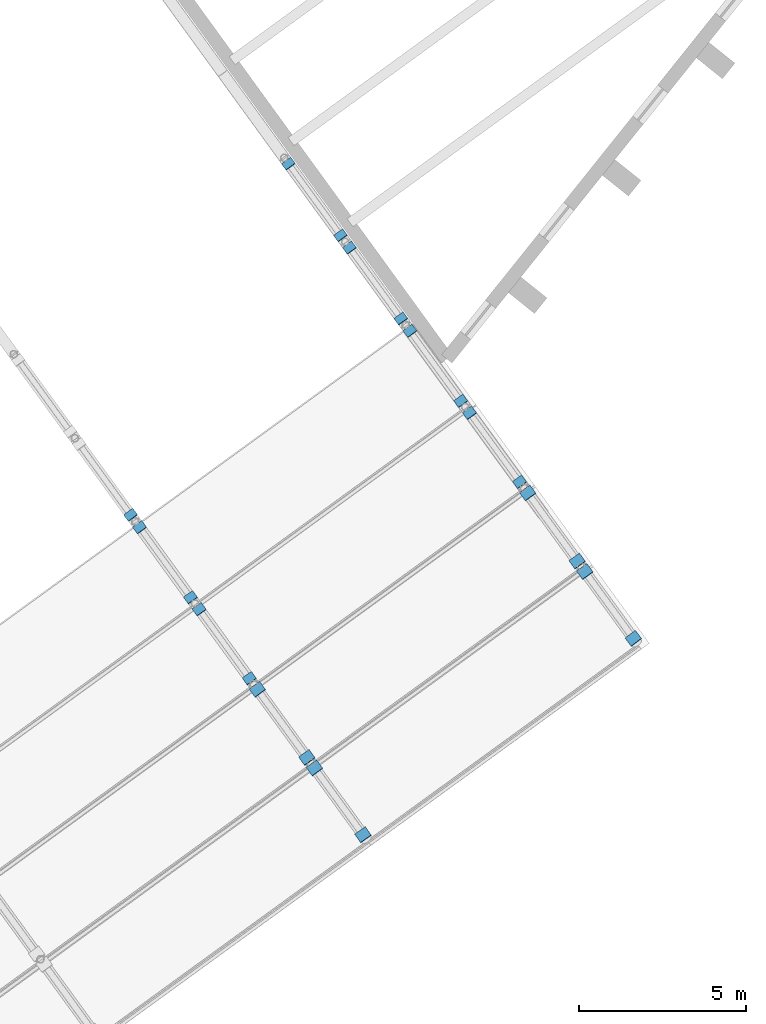
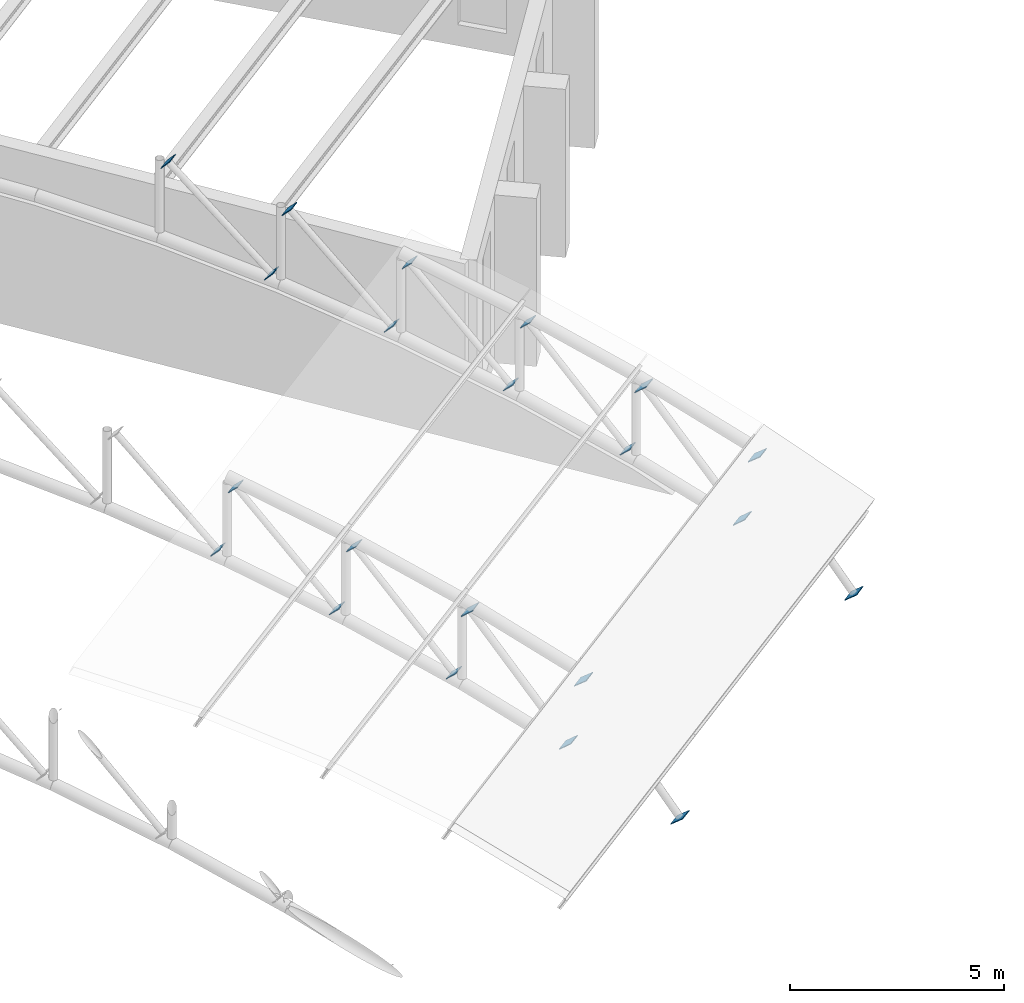
# One storey, part 67 of 69: 21 discrete accessories.
"""IFC4 building model written with IfcOpenShell, lengths in metres."""

from ifc_helpers import new_model, si_unit, direction, frame, origin, origin_2d, place, context, subcontext, project, spatial, rectangle, extrude, material, layer, layer_set, type_object, element, save


model = new_model("IFC4")

# Units and contexts
model_context = context("Model", 3, precision=1e-05, world=origin(), true_north=direction((0.0, 1.0)))
body_context = subcontext(model_context, "Body", "Model", "MODEL_VIEW")
ifc_project = project(units=[si_unit("LENGTHUNIT", "METRE"), si_unit("AREAUNIT", "SQUARE_METRE"), si_unit("VOLUMEUNIT", "CUBIC_METRE"), si_unit("PLANEANGLEUNIT", "RADIAN"), si_unit("MASSUNIT", "GRAM", prefix="KILO")], contexts=[model_context])

# Site, building, storey
site_placement = place(None, origin())
site = spatial("IfcSite", under=ifc_project, at=site_placement, CompositionType="ELEMENT")
building_placement = place(site_placement, origin())
building = spatial("IfcBuilding", under=site, at=building_placement, Name="Okhra Congress Centre", CompositionType="ELEMENT")
storey_placement = place(building_placement, frame((0.0, 0.0, 16.800048828125)))
storey = spatial("IfcBuildingStorey", under=building, at=storey_placement, Name="L03", CompositionType="ELEMENT", Elevation=16.800048828125)

# Discrete accessories
ifc_material = material(Name="Steel S355J2", Category="steel")
ifc_layer = layer(ifc_material, 0.02001953125)
ifc_layer_set = layer_set([ifc_layer], Name="Brace end connection plate 20 mm S355")
discrete_accessory_type = type_object("IfcDiscreteAccessoryType", Name="Brace end connection plate 20 mm S355", PredefinedType="BRACKET", material=ifc_layer_set)
for number, where, z_axis, x_axis, name in (
    (1, (268.5224609375, 187.8916015625, -1.60595703125), (0.353055224717, -0.499147041841, -0.79133067609), (0.816415639507, 0.577464720627, 0.0), "Brace end connection plate"),
    (2, (267.07666015625, 189.881591796875, 1.614990234375), (-0.355193772836, 0.489922445291, 0.796123973598), (-0.809610443394, -0.586967571461, 0.0), "Brace end connection plate"),
    (3, (266.842041015625, 190.20458984375, -0.28076171875), (0.364878191558, -0.510829468181, -0.778406808657), (0.813733471207, 0.581238193719, 0.0), "Brace end connection plate"),
    (4, (265.367919921875, 192.2333984375, 2.777099609375), (-0.378894969968, 0.513341572215, 0.770012358322), (-0.804574079586, -0.593852296837, 0.0), "Brace end connection plate"),
):
    element("IfcDiscreteAccessory", number, at=place(storey_placement, frame(where, z_axis=z_axis, x_axis=x_axis)), inside=storey, type_object=discrete_accessory_type, Name=name, PredefinedType="BRACKET", context=body_context, shape_type="SweptSolid", body=[
        extrude(rectangle(XDim=0.386962890625, YDim=0.386962890625, at=origin_2d()), origin(), (0.0, 0.0, 1.0), 0.02001953125),
    ])
for number, where, z_axis, x_axis, name in (
    (5, (265.11865234375, 192.57666015625, 0.876220703125), (0.381064342654, -0.540865518606, -0.749836287159), (0.817482433131, 0.575953532433, 0.0), "Brace end connection plate"),
    (6, (263.626220703125, 194.63037109375, 3.760986328125), (-0.381064342654, 0.540865518606, 0.749836287159), (-0.817482433131, -0.575953532433, 0.0), "Brace end connection plate"),
):
    element("IfcDiscreteAccessory", number, at=place(storey_placement, frame(where, z_axis=z_axis, x_axis=x_axis)), inside=storey, type_object=discrete_accessory_type, Name=name, PredefinedType="BRACKET", context=body_context, shape_type="SweptSolid", body=[
        extrude(rectangle(XDim=0.3369140625, YDim=0.3369140625, at=origin_2d()), origin(), (0.0, 0.0, 1.0), 0.019775390625),
    ])
discrete_accessory_1_placement = place(storey_placement, frame((263.358154296875, 194.999755859375, 1.861572265625), z_axis=(0.400036736006, -0.557626965342, -0.727339520011), x_axis=(0.81253825063, 0.582907875452, 0.0)))
element("IfcDiscreteAccessory", 7, at=discrete_accessory_1_placement, inside=storey, type_object=discrete_accessory_type, Name="Brace end connection plate", PredefinedType="BRACKET", context=body_context, shape_type="SweptSolid", body=[
    extrude(rectangle(XDim=0.3369140625, YDim=0.3369140625, at=origin_2d()), origin(), (0.0, 0.0, 1.0), 0.02001953125),
])
discrete_accessory_2_placement = place(storey_placement, frame((261.84326171875, 197.084716796875, 4.5908203125), z_axis=(-0.406355872074, 0.554121643737, 0.726515044011), x_axis=(-0.806404995856, -0.591363663628, 0.0)))
element("IfcDiscreteAccessory", 8, at=discrete_accessory_2_placement, inside=storey, type_object=discrete_accessory_type, Name="Brace end connection plate", PredefinedType="BRACKET", context=body_context, shape_type="SweptSolid", body=[
    extrude(rectangle(XDim=0.3369140625, YDim=0.3369140625, at=origin_2d()), origin(), (0.0, 0.0, 1.0), 0.019775390625),
])
discrete_accessory_3_placement = place(storey_placement, frame((261.56591796875, 197.46630859375, 2.67236328125), z_axis=(0.428136558546, -0.574926235762, -0.697250966775), x_axis=(0.80204311034, 0.597266145998, 0.0)))
element("IfcDiscreteAccessory", 9, at=discrete_accessory_3_placement, inside=storey, type_object=discrete_accessory_type, Name="Brace end connection plate", PredefinedType="BRACKET", context=body_context, shape_type="SweptSolid", body=[
    extrude(rectangle(XDim=0.3369140625, YDim=0.3369140625, at=origin_2d()), origin(), (0.0, 0.0, 1.0), 0.02001953125),
])
for number, where, z_axis, x_axis, name in (
    (10, (276.612548828125, 193.769287109375, -1.60595703125), (0.36582645651, -0.48776860868, -0.792623989105), (0.8, 0.6, 0.0), "Brace end connection plate"),
    (11, (275.166748046875, 195.759521484375, 1.614990234375), (-0.355193772836, 0.489922445291, 0.796123973598), (-0.809610443394, -0.586967571461, 0.0), "Brace end connection plate"),
    (12, (274.93212890625, 196.082275390625, -0.28076171875), (0.364878191558, -0.510829468181, -0.778406808657), (0.813733471207, 0.581238193719, 0.0), "Brace end connection plate"),
):
    element("IfcDiscreteAccessory", number, at=place(storey_placement, frame(where, z_axis=z_axis, x_axis=x_axis)), inside=storey, type_object=discrete_accessory_type, Name=name, PredefinedType="BRACKET", context=body_context, shape_type="SweptSolid", body=[
        extrude(rectangle(XDim=0.386962890625, YDim=0.386962890625, at=origin_2d()), origin(), (0.0, 0.0, 1.0), 0.02001953125),
    ])
discrete_accessory_4_placement = place(storey_placement, frame((273.4580078125, 198.111328125, 2.777099609375), z_axis=(-0.368354734342, 0.515696628079, 0.773544942118), x_axis=(-0.813733471207, -0.581238193719, 0.0)))
element("IfcDiscreteAccessory", 13, at=discrete_accessory_4_placement, inside=storey, type_object=discrete_accessory_type, Name="Brace end connection plate", PredefinedType="BRACKET", context=body_context, shape_type="SweptSolid", body=[
    extrude(rectangle(XDim=0.386962890625, YDim=0.386962890625, at=origin_2d()), origin(), (0.0, 0.0, 1.0), 0.019775390625),
])
discrete_accessory_5_placement = place(storey_placement, frame((273.208740234375, 198.454345703125, 0.876220703125), z_axis=(0.394071935469, -0.529534163287, -0.751199626988), x_axis=(0.802233221274, 0.59701076932, 0.0)))
element("IfcDiscreteAccessory", 14, at=discrete_accessory_5_placement, inside=storey, type_object=discrete_accessory_type, Name="Brace end connection plate", PredefinedType="BRACKET", context=body_context, shape_type="SweptSolid", body=[
    extrude(rectangle(XDim=0.3369140625, YDim=0.3369140625, at=origin_2d()), origin(), (0.0, 0.0, 1.0), 0.019775390625),
])
for number, where, z_axis, x_axis, name in (
    (15, (271.716552734375, 200.50830078125, 3.760986328125), (-0.391497724761, 0.538309371546, 0.746292537825), (-0.808736084303, -0.588171697675, 0.0), "Brace end connection plate"),
    (16, (271.4482421875, 200.87744140625, 1.861572265625), (0.402738614266, -0.549189019454, -0.732252025938), (0.806404995856, 0.591363663628, 0.0), "Brace end connection plate"),
):
    element("IfcDiscreteAccessory", number, at=place(storey_placement, frame(where, z_axis=z_axis, x_axis=x_axis)), inside=storey, type_object=discrete_accessory_type, Name=name, PredefinedType="BRACKET", context=body_context, shape_type="SweptSolid", body=[
        extrude(rectangle(XDim=0.3369140625, YDim=0.3369140625, at=origin_2d()), origin(), (0.0, 0.0, 1.0), 0.02001953125),
    ])
discrete_accessory_6_placement = place(storey_placement, frame((269.933349609375, 202.962646484375, 4.5908203125), z_axis=(-0.406355872074, 0.554121643737, 0.726515044011), x_axis=(-0.806404995856, -0.591363663628, 0.0)))
element("IfcDiscreteAccessory", 17, at=discrete_accessory_6_placement, inside=storey, type_object=discrete_accessory_type, Name="Brace end connection plate", PredefinedType="BRACKET", context=body_context, shape_type="SweptSolid", body=[
    extrude(rectangle(XDim=0.3369140625, YDim=0.3369140625, at=origin_2d()), origin(), (0.0, 0.0, 1.0), 0.019775390625),
])
for number, where, z_axis, x_axis, name in (
    (18, (269.65625, 203.34423828125, 2.67236328125), (0.415097407608, -0.586019869564, -0.695898595108), (0.816024481102, 0.57801734078, 0.0), "Brace end connection plate"),
    (19, (268.12548828125, 205.450927734375, 5.24169921875), (-0.414480070253, 0.572957744174, 0.707054237491), (-0.81022441079, -0.586119786529, 0.0), "Brace end connection plate"),
    (20, (267.848388671875, 205.83251953125, 3.290283203125), (0.429165270787, -0.600831379102, -0.67440256838), (0.813733471207, 0.581238193719, 0.0), "Brace end connection plate"),
    (21, (266.299072265625, 207.96484375, 5.7119140625), (-0.439089696959, 0.597649865305, 0.670831481465), (-0.805881812891, -0.592076433961, 0.0), "Brace end connection plate"),
):
    element("IfcDiscreteAccessory", number, at=place(storey_placement, frame(where, z_axis=z_axis, x_axis=x_axis)), inside=storey, type_object=discrete_accessory_type, Name=name, PredefinedType="BRACKET", context=body_context, shape_type="SweptSolid", body=[
        extrude(rectangle(XDim=0.3369140625, YDim=0.3369140625, at=origin_2d()), origin(), (0.0, 0.0, 1.0), 0.02001953125),
    ])

save(model, "model.ifc")
